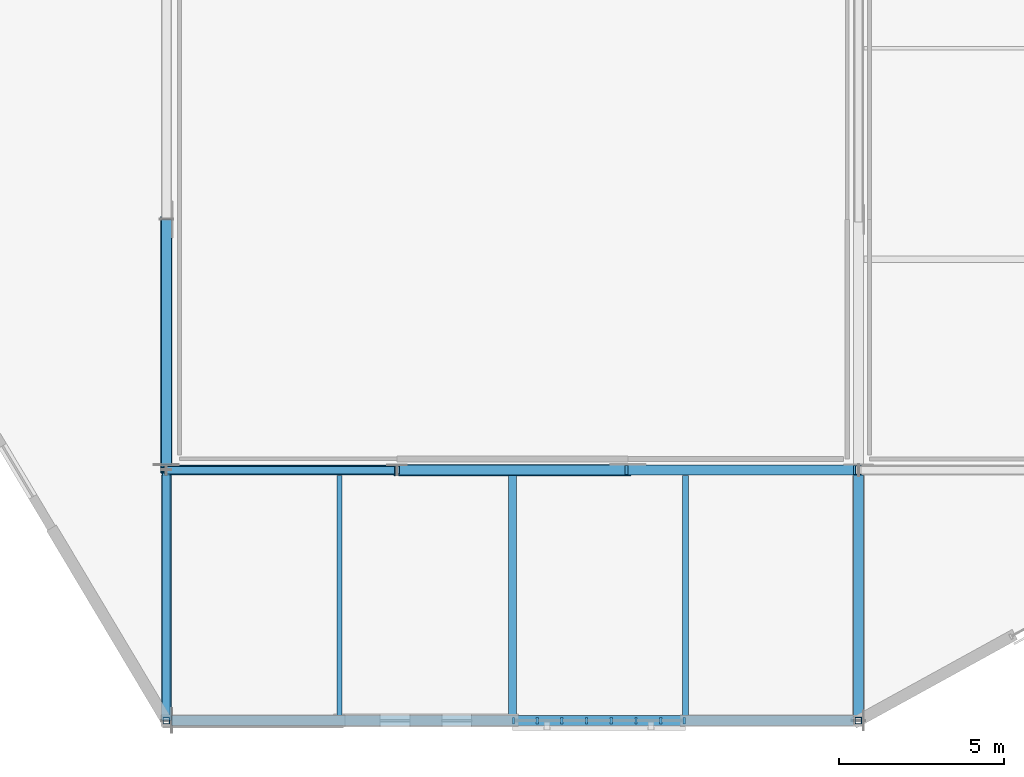
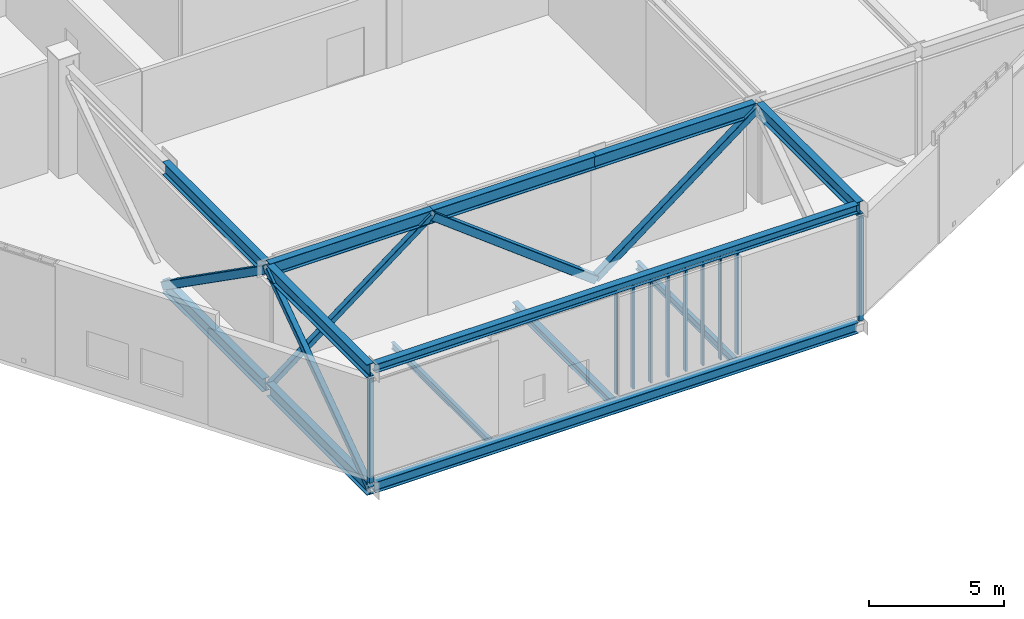
# One storey, part 33 of 135: 15 members, 13 beams, 1 element without a shape of its own.
"""IFC4 building model written with IfcOpenShell, lengths in metres."""

from ifc_helpers import new_model, si_unit, direction, frame, origin, origin_2d, place, context, subcontext, project, spatial, rectangle, hollow_rectangle, i_section, extrude, material, material_profile, profile_set, type_object, element, aggregate, save


model = new_model("IFC4")

# Units and contexts
model_context = context("Model", 3, precision=1e-05, world=origin(), true_north=direction((0.0, 1.0)))
body_context = subcontext(model_context, "Body", "Model", "MODEL_VIEW")
ifc_project = project(units=[si_unit("LENGTHUNIT", "METRE"), si_unit("AREAUNIT", "SQUARE_METRE"), si_unit("VOLUMEUNIT", "CUBIC_METRE"), si_unit("PLANEANGLEUNIT", "RADIAN"), si_unit("MASSUNIT", "GRAM", prefix="KILO")], contexts=[model_context])

# Site, building, storey
site_placement = place(None, origin())
site = spatial("IfcSite", under=ifc_project, at=site_placement, CompositionType="ELEMENT")
building_placement = place(site_placement, origin())
building = spatial("IfcBuilding", under=site, at=building_placement, Name="Larkvane Passage Sports Hall", CompositionType="ELEMENT")
storey_placement = place(building_placement, frame((0.0, 0.0, 16.800048828125)))
storey = spatial("IfcBuildingStorey", under=building, at=storey_placement, Name="L03", CompositionType="ELEMENT", Elevation=16.800048828125)

# Beams
ifc_material_1 = material(Name="Steel S355JR", Category="steel")
ifc_material_profile_1 = material_profile(ifc_material_1, i_section(OverallWidth=0.300048828125, OverallDepth=0.389892578125, WebThickness=0.010009765625, FlangeThickness=0.01611328125, FilletRadius=0.01806640625, at=origin_2d()), Name="H-390x300x10x16")
ifc_profile_set_1 = profile_set([ifc_material_profile_1], Name="Steel S355JR")
beam_type_1 = type_object("IfcBeamType", Name="BM-STL-H390", PredefinedType="BEAM", material=ifc_profile_set_1)
beam_1_placement = place(storey_placement, frame((131.75, 0.0, 4.824951171875), z_axis=(1.0, 0.0, 0.0), x_axis=(0.0, 1.0, 0.0)))
element("IfcBeam", 1, at=beam_1_placement, inside=storey, type_object=beam_type_1, Name="Cantilever transverse top beam CT-S3A--1", PredefinedType="BEAM", context=body_context, shape_type="SweptSolid", body=[
    extrude(i_section(OverallWidth=0.300048828125, OverallDepth=0.389892578125, WebThickness=0.010009765625, FlangeThickness=0.01611328125, FilletRadius=0.01806640625, at=origin_2d()), origin(), (0.0, 0.0, 1.0), 20.699951171875),
])
ifc_material_profile_2 = material_profile(ifc_material_1, i_section(OverallWidth=0.300048828125, OverallDepth=0.488037109375, WebThickness=0.010986328125, FlangeThickness=0.01806640625, FilletRadius=0.02197265625, at=origin_2d()), Name="H-488x300x11x18")
ifc_profile_set_2 = profile_set([ifc_material_profile_2], Name="Steel S355JR")
beam_type_2 = type_object("IfcBeamType", Name="BM-STL-H488", PredefinedType="BEAM", material=ifc_profile_set_2)
beam_2_placement = place(storey_placement, frame((131.75, 0.0, -0.56396484375), z_axis=(1.0, 0.0, 0.0), x_axis=(0.0, 1.0, 0.0)))
element("IfcBeam", 2, at=beam_2_placement, inside=storey, type_object=beam_type_2, Name="Cantilever transverse flr beam CT-S3A--1", PredefinedType="BEAM", context=body_context, shape_type="SweptSolid", body=[
    extrude(i_section(OverallWidth=0.300048828125, OverallDepth=0.488037109375, WebThickness=0.010986328125, FlangeThickness=0.01806640625, FilletRadius=0.02197265625, at=origin_2d()), origin(), (0.0, 0.0, 1.0), 20.699951171875),
])
ifc_material_2 = material(Name="Steel S460N", Category="steel")
ifc_material_profile_3 = material_profile(ifc_material_2, i_section(OverallWidth=0.300048828125, OverallDepth=0.587890625, WebThickness=0.011962890625, FlangeThickness=0.02001953125, FilletRadius=0.02197265625, at=origin_2d()), Name="H-588x300x12x20")
ifc_profile_set_3 = profile_set([ifc_material_profile_3], Name="Steel S460N")
beam_type_3 = type_object("IfcBeamType", Name="BM-STL-H588", PredefinedType="BEAM", material=ifc_profile_set_3)
for number, where, z_axis, x_axis, name in (
    (3, (131.60009765625, 7.60009765625, 4.725830078125), (1.0, 0.0, 0.0), (0.0, 1.0, 0.0), "Cantilever truss CT-E3A-1 top chord 1"),
    (4, (138.60009765625, 7.60009765625, 4.725830078125), (1.0, 0.0, 0.0), (0.0, 1.0, 0.0), "Cantilever truss CT-E3A-1 top chord 2"),
):
    element("IfcBeam", number, at=place(storey_placement, frame(where, z_axis=z_axis, x_axis=x_axis)), inside=storey, type_object=beam_type_3, Name=name, PredefinedType="BEAM", context=body_context, shape_type="SweptSolid", body=[
        extrude(i_section(OverallWidth=0.300048828125, OverallDepth=0.587890625, WebThickness=0.011962890625, FlangeThickness=0.02001953125, FilletRadius=0.02197265625, at=origin_2d()), origin(), (0.0, 0.0, 1.0), 7.0),
    ])
beam_3_placement = place(storey_placement, frame((145.60009765625, 7.60009765625, 4.725830078125), z_axis=(1.0, 0.0, 0.0), x_axis=(0.0, 1.0, 0.0)))
element("IfcBeam", 5, at=beam_3_placement, inside=storey, type_object=beam_type_3, Name="Cantilever truss CT-E3A-1 top chord 3", PredefinedType="BEAM", context=body_context, shape_type="SweptSolid", body=[
    extrude(i_section(OverallWidth=0.300048828125, OverallDepth=0.587890625, WebThickness=0.011962890625, FlangeThickness=0.02001953125, FilletRadius=0.02197265625, at=origin_2d()), origin(), (0.0, 0.0, 1.0), 6.844970703125),
])
for number, where, z_axis, x_axis, name in (
    (6, (131.60009765625, 0.0, -0.614013671875), (0.0, 1.0, 0.0), (-1.0, 0.0, 0.0), "Cantilever truss CT-S3A-1 bottom chord 1"),
    (7, (131.60009765625, 0.0, 4.725830078125), (0.0, 1.0, 0.0), (-1.0, 0.0, 0.0), "Cantilever truss CT-S3A-1 top chord 1"),
    (8, (131.60009765625, 7.7548828125, -0.614013671875), (0.0, 1.0, 0.0), (-1.0, 0.0, 0.0), "Cantilever truss CT-S3A-1 bottom chord 2"),
    (9, (131.60009765625, 7.7548828125, 4.725830078125), (0.0, 1.0, 0.0), (-1.0, 0.0, 0.0), "Cantilever truss CT-S3A-1 top chord 2"),
    (10, (152.60009765625, 0.0, 4.725830078125), (0.0, 1.0, 0.0), (-1.0, 0.0, 0.0), "Cantilever truss CT-S3A-2 top chord 1"),
):
    element("IfcBeam", number, at=place(storey_placement, frame(where, z_axis=z_axis, x_axis=x_axis)), inside=storey, type_object=beam_type_3, Name=name, PredefinedType="BEAM", context=body_context, shape_type="SweptSolid", body=[
        extrude(i_section(OverallWidth=0.300048828125, OverallDepth=0.587890625, WebThickness=0.011962890625, FlangeThickness=0.02001953125, FilletRadius=0.02197265625, at=origin_2d()), origin(), (0.0, 0.0, 1.0), 7.445068359375),
    ])

# Curtain wall, members
ifc_material_3 = material(Name="Thermally broken aluminium and low-E glazing", Category="aluminium")
curtain_wall_type = type_object("IfcCurtainWallType", Name="CW-UNIT-VEIL", PredefinedType="USERDEFINED", material=ifc_material_3)
curtain_wall_placement = place(storey_placement, origin())
curtain_wall = element("IfcCurtainWall", 11, at=curtain_wall_placement, inside=storey, type_object=curtain_wall_type, Name="Curtain wall CW5-L03-117", ObjectType="UNITISED CURTAIN WALL", PredefinedType="USERDEFINED")
ifc_material_4 = material(Name="Anodised aluminium 6063-T6", Category="aluminium")
ifc_material_profile_4 = material_profile(ifc_material_4, rectangle(XDim=0.070068359375, YDim=0.199951171875, at=origin_2d()), Name="ALU-MUL-70x200")
ifc_profile_set_4 = profile_set([ifc_material_profile_4], Name="Anodised aluminium 6063-T6")
member_type_1 = type_object("IfcMemberType", Name="CW-MUL-70x200", PredefinedType="MULLION", material=ifc_profile_set_4)
member_1_placement = place(storey_placement, frame((147.31494140625, 0.0, 0.0), z_axis=(0.0, 0.0, 1.0), x_axis=(-1.0, 0.0, 0.0)))
member_1 = element("IfcMember", 12, at=member_1_placement, type_object=member_type_1, Name="CW-02 mullion 1", PredefinedType="MULLION", context=body_context, shape_type="SweptSolid", body=[
    extrude(rectangle(XDim=0.070068359375, YDim=0.199951171875, at=origin_2d()), origin(), (0.0, 0.0, 1.0), 4.617919921875),
])
member_2_placement = place(storey_placement, frame((146.60009765625, 0.0, 0.0), z_axis=(0.0, 0.0, 1.0), x_axis=(-1.0, 0.0, 0.0)))
member_2 = element("IfcMember", 13, at=member_2_placement, type_object=member_type_1, Name="CW-02 mullion 2", PredefinedType="MULLION", context=body_context, shape_type="SweptSolid", body=[
    extrude(rectangle(XDim=0.070068359375, YDim=0.199951171875, at=origin_2d()), origin(), (0.0, 0.0, 1.0), 4.617919921875),
])
member_3_placement = place(storey_placement, frame((145.85009765625, 0.0, 0.0), z_axis=(0.0, 0.0, 1.0), x_axis=(-1.0, 0.0, 0.0)))
member_3 = element("IfcMember", 14, at=member_3_placement, type_object=member_type_1, Name="CW-02 mullion 3", PredefinedType="MULLION", context=body_context, shape_type="SweptSolid", body=[
    extrude(rectangle(XDim=0.070068359375, YDim=0.199951171875, at=origin_2d()), origin(), (0.0, 0.0, 1.0), 4.617919921875),
])
member_4_placement = place(storey_placement, frame((145.10009765625, 0.0, 0.0), z_axis=(0.0, 0.0, 1.0), x_axis=(-1.0, 0.0, 0.0)))
member_4 = element("IfcMember", 15, at=member_4_placement, type_object=member_type_1, Name="CW-02 mullion 4", PredefinedType="MULLION", context=body_context, shape_type="SweptSolid", body=[
    extrude(rectangle(XDim=0.070068359375, YDim=0.199951171875, at=origin_2d()), origin(), (0.0, 0.0, 1.0), 4.617919921875),
])
member_5_placement = place(storey_placement, frame((144.35009765625, 0.0, 0.0), z_axis=(0.0, 0.0, 1.0), x_axis=(-1.0, 0.0, 0.0)))
member_5 = element("IfcMember", 16, at=member_5_placement, type_object=member_type_1, Name="CW-02 mullion 5", PredefinedType="MULLION", context=body_context, shape_type="SweptSolid", body=[
    extrude(rectangle(XDim=0.070068359375, YDim=0.199951171875, at=origin_2d()), origin(), (0.0, 0.0, 1.0), 4.617919921875),
])
member_6_placement = place(storey_placement, frame((143.60009765625, 0.0, 0.0), z_axis=(0.0, 0.0, 1.0), x_axis=(-1.0, 0.0, 0.0)))
member_6 = element("IfcMember", 17, at=member_6_placement, type_object=member_type_1, Name="CW-02 mullion 6", PredefinedType="MULLION", context=body_context, shape_type="SweptSolid", body=[
    extrude(rectangle(XDim=0.070068359375, YDim=0.199951171875, at=origin_2d()), origin(), (0.0, 0.0, 1.0), 4.617919921875),
])
member_7_placement = place(storey_placement, frame((142.85009765625, 0.0, 0.0), z_axis=(0.0, 0.0, 1.0), x_axis=(-1.0, 0.0, 0.0)))
member_7 = element("IfcMember", 18, at=member_7_placement, type_object=member_type_1, Name="CW-02 mullion 7", PredefinedType="MULLION", context=body_context, shape_type="SweptSolid", body=[
    extrude(rectangle(XDim=0.070068359375, YDim=0.199951171875, at=origin_2d()), origin(), (0.0, 0.0, 1.0), 4.617919921875),
])
member_8_placement = place(storey_placement, frame((142.135009765625, 0.0, 0.0), z_axis=(0.0, 0.0, 1.0), x_axis=(-1.0, 0.0, 0.0)))
member_8 = element("IfcMember", 19, at=member_8_placement, type_object=member_type_1, Name="CW-02 mullion 8", PredefinedType="MULLION", context=body_context, shape_type="SweptSolid", body=[
    extrude(rectangle(XDim=0.070068359375, YDim=0.199951171875, at=origin_2d()), origin(), (0.0, 0.0, 1.0), 4.617919921875),
])
aggregate(curtain_wall, [member_1, member_2, member_3, member_4, member_5, member_6, member_7, member_8])

# Beams
ifc_material_profile_5 = material_profile(ifc_material_1, i_section(OverallWidth=0.14990234375, OverallDepth=0.300048828125, WebThickness=0.006591796875, FlangeThickness=0.009033203125, FilletRadius=0.012939453125, at=origin_2d()), Name="H-300x150x6.5x9")
ifc_profile_set_5 = profile_set([ifc_material_profile_5], Name="Steel S355JR")
beam_type_4 = type_object("IfcBeamType", Name="JST-STL-H300", PredefinedType="JOIST", material=ifc_profile_set_5)
beam_4_placement = place(storey_placement, frame((136.85009765625, 0.159912109375, -0.469970703125), z_axis=(0.0, 1.0, 0.0), x_axis=(-1.0, 0.0, 0.0)))
element("IfcBeam", 20, at=beam_4_placement, inside=storey, type_object=beam_type_4, Name="Cantilever floor joist CT-S3A--1-1", PredefinedType="JOIST", context=body_context, shape_type="SweptSolid", body=[
    extrude(i_section(OverallWidth=0.14990234375, OverallDepth=0.300048828125, WebThickness=0.006591796875, FlangeThickness=0.009033203125, FilletRadius=0.012939453125, at=origin_2d()), origin(), (0.0, 0.0, 1.0), 7.280029296875),
])
ifc_material_profile_6 = material_profile(ifc_material_1, i_section(OverallWidth=0.25, OverallDepth=0.340087890625, WebThickness=0.009033203125, FlangeThickness=0.013916015625, FilletRadius=0.012939453125, at=origin_2d()), Name="H-340x250x9x14")
ifc_profile_set_6 = profile_set([ifc_material_profile_6], Name="Steel S355JR")
beam_type_5 = type_object("IfcBeamType", Name="JST-STL-H340", PredefinedType="JOIST", material=ifc_profile_set_6)
beam_5_placement = place(storey_placement, frame((142.10009765625, 0.159912109375, -0.489990234375), z_axis=(0.0, 1.0, 0.0), x_axis=(-1.0, 0.0, 0.0)))
element("IfcBeam", 21, at=beam_5_placement, inside=storey, type_object=beam_type_5, Name="Cantilever floor joist CT-S3A--1-2", PredefinedType="JOIST", context=body_context, shape_type="SweptSolid", body=[
    extrude(i_section(OverallWidth=0.25, OverallDepth=0.340087890625, WebThickness=0.009033203125, FlangeThickness=0.013916015625, FilletRadius=0.012939453125, at=origin_2d()), origin(), (0.0, 0.0, 1.0), 7.280029296875),
])
ifc_material_profile_7 = material_profile(ifc_material_1, i_section(OverallWidth=0.175048828125, OverallDepth=0.35009765625, WebThickness=0.007080078125, FlangeThickness=0.010986328125, FilletRadius=0.012939453125, at=origin_2d()), Name="H-350x175x7x11")
ifc_profile_set_7 = profile_set([ifc_material_profile_7], Name="Steel S355JR")
beam_type_6 = type_object("IfcBeamType", Name="JST-STL-H350", PredefinedType="JOIST", material=ifc_profile_set_7)
beam_6_placement = place(storey_placement, frame((147.35009765625, 0.159912109375, -0.4951171875), z_axis=(0.0, 1.0, 0.0), x_axis=(-1.0, 0.0, 0.0)))
element("IfcBeam", 22, at=beam_6_placement, inside=storey, type_object=beam_type_6, Name="Cantilever floor joist CT-S3A--1-3", PredefinedType="JOIST", context=body_context, shape_type="SweptSolid", body=[
    extrude(i_section(OverallWidth=0.175048828125, OverallDepth=0.35009765625, WebThickness=0.007080078125, FlangeThickness=0.010986328125, FilletRadius=0.012939453125, at=origin_2d()), origin(), (0.0, 0.0, 1.0), 7.280029296875),
])

# Members
ifc_material_profile_8 = material_profile(ifc_material_2, hollow_rectangle(XDim=0.25, YDim=0.25, WallThickness=0.011962890625, InnerFilletRadius=0.011962890625, OuterFilletRadius=0.02392578125, at=origin_2d()), Name="SHS-250x250x12")
ifc_profile_set_8 = profile_set([ifc_material_profile_8], Name="Steel S460N")
member_type_2 = type_object("IfcMemberType", Name="MBR-BR-SHS250", PredefinedType="BRACE", material=ifc_profile_set_8)
member_9_placement = place(storey_placement, frame((131.60009765625, 7.60009765625, -0.614013671875), z_axis=(0.79507511045, 0.0, 0.606510979903), x_axis=(0.0, 1.0, 0.0)))
element("IfcMember", 23, at=member_9_placement, inside=storey, type_object=member_type_2, Name="Cantilever truss CT-E3A-1 web diagonal 1", PredefinedType="BRACE", context=body_context, shape_type="SweptSolid", body=[
    extrude(hollow_rectangle(XDim=0.25, YDim=0.25, WallThickness=0.011962890625, InnerFilletRadius=0.011962890625, OuterFilletRadius=0.02392578125, at=origin_2d()), origin(), (0.0, 0.0, 1.0), 8.80419921875),
])
member_10_placement = place(storey_placement, frame((131.60009765625, 0.0, -0.614013671875), z_axis=(0.0, 0.818230459533, 0.574890350495), x_axis=(-1.0, 0.0, 0.0)))
element("IfcMember", 24, at=member_10_placement, inside=storey, type_object=member_type_2, Name="Cantilever truss CT-S3A-1 web diagonal 1", PredefinedType="BRACE", context=body_context, shape_type="SweptSolid", body=[
    extrude(hollow_rectangle(XDim=0.25, YDim=0.25, WallThickness=0.011962890625, InnerFilletRadius=0.011962890625, OuterFilletRadius=0.02392578125, at=origin_2d()), origin(), (0.0, 0.0, 1.0), 9.28857421875),
])
ifc_material_profile_9 = material_profile(ifc_material_2, hollow_rectangle(XDim=0.300048828125, YDim=0.300048828125, WallThickness=0.011962890625, InnerFilletRadius=0.011962890625, OuterFilletRadius=0.02392578125, at=origin_2d()), Name="SHS-300x300x12")
ifc_profile_set_9 = profile_set([ifc_material_profile_9], Name="Steel S460N")
member_type_3 = type_object("IfcMemberType", Name="MBR-BR-SHS300", PredefinedType="BRACE", material=ifc_profile_set_9)
member_11_placement = place(storey_placement, frame((145.60009765625, 7.60009765625, -0.614013671875), z_axis=(0.79507511045, 0.0, 0.606510979903), x_axis=(0.0, 1.0, 0.0)))
element("IfcMember", 25, at=member_11_placement, inside=storey, type_object=member_type_3, Name="Cantilever truss CT-E3A-1 web diagonal 3", PredefinedType="BRACE", context=body_context, shape_type="SweptSolid", body=[
    extrude(hollow_rectangle(XDim=0.300048828125, YDim=0.300048828125, WallThickness=0.011962890625, InnerFilletRadius=0.011962890625, OuterFilletRadius=0.02392578125, at=origin_2d()), origin(), (0.0, 0.0, 1.0), 8.80419921875),
])
ifc_material_profile_10 = material_profile(ifc_material_2, hollow_rectangle(XDim=0.35009765625, YDim=0.35009765625, WallThickness=0.01611328125, InnerFilletRadius=0.01611328125, OuterFilletRadius=0.031982421875, at=origin_2d()), Name="SHS-350x350x16")
ifc_profile_set_10 = profile_set([ifc_material_profile_10], Name="Steel S460N")
member_type_4 = type_object("IfcMemberType", Name="MBR-BR-SHS350", PredefinedType="BRACE", material=ifc_profile_set_10)
member_12_placement = place(storey_placement, frame((138.60009765625, 7.60009765625, 4.725830078125), z_axis=(0.79507511045, 0.0, -0.606510979903), x_axis=(0.0, 1.0, 0.0)))
element("IfcMember", 26, at=member_12_placement, inside=storey, type_object=member_type_4, Name="Cantilever truss CT-E3A-1 web diagonal 2", PredefinedType="BRACE", context=body_context, shape_type="SweptSolid", body=[
    extrude(hollow_rectangle(XDim=0.35009765625, YDim=0.35009765625, WallThickness=0.01611328125, InnerFilletRadius=0.01611328125, OuterFilletRadius=0.031982421875, at=origin_2d()), origin(), (0.0, 0.0, 1.0), 8.80419921875),
])
member_13_placement = place(storey_placement, frame((131.60009765625, 7.60009765625, 4.725830078125), z_axis=(0.0, 0.818221772318, -0.574902714644), x_axis=(-1.0, 0.0, 0.0)))
element("IfcMember", 27, at=member_13_placement, inside=storey, type_object=member_type_4, Name="Cantilever truss CT-S3A-1 web diagonal 2", PredefinedType="BRACE", context=body_context, shape_type="SweptSolid", body=[
    extrude(hollow_rectangle(XDim=0.35009765625, YDim=0.35009765625, WallThickness=0.01611328125, InnerFilletRadius=0.01611328125, OuterFilletRadius=0.031982421875, at=origin_2d()), origin(), (0.0, 0.0, 1.0), 9.288330078125),
])
ifc_material_profile_11 = material_profile(ifc_material_2, hollow_rectangle(XDim=0.199951171875, YDim=0.199951171875, WallThickness=0.009033203125, InnerFilletRadius=0.009033203125, OuterFilletRadius=0.01806640625, at=origin_2d()), Name="SHS-200x200x9")
ifc_profile_set_11 = profile_set([ifc_material_profile_11], Name="Steel S460N")
member_type_5 = type_object("IfcMemberType", Name="MBR-ST-SHS200", PredefinedType="STRUT", material=ifc_profile_set_11)
for number, where, z_axis, x_axis, name in (
    (28, (131.60009765625, 0.0, -0.320068359375), (0.0, 0.0, 1.0), (1.0, 0.0, 0.0), "Cantilever truss CT-S3A-1 vertical post 1"),
    (29, (152.60009765625, 0.0, -0.320068359375), (0.0, 0.0, 1.0), (1.0, 0.0, 0.0), "Cantilever truss CT-S3A-2 vertical post 1"),
):
    element("IfcMember", number, at=place(storey_placement, frame(where, z_axis=z_axis, x_axis=x_axis)), inside=storey, type_object=member_type_5, Name=name, PredefinedType="STRUT", context=body_context, shape_type="SweptSolid", body=[
        extrude(hollow_rectangle(XDim=0.199951171875, YDim=0.199951171875, WallThickness=0.009033203125, InnerFilletRadius=0.009033203125, OuterFilletRadius=0.01806640625, at=origin_2d()), origin(), (0.0, 0.0, 1.0), 4.751953125),
    ])

save(model, "model.ifc")
